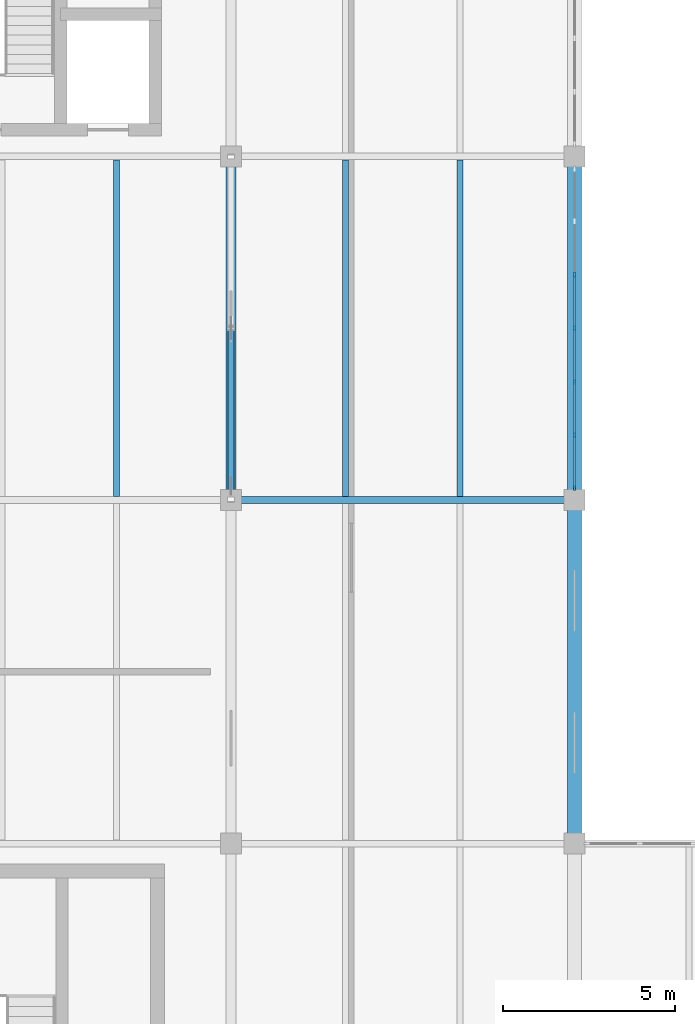
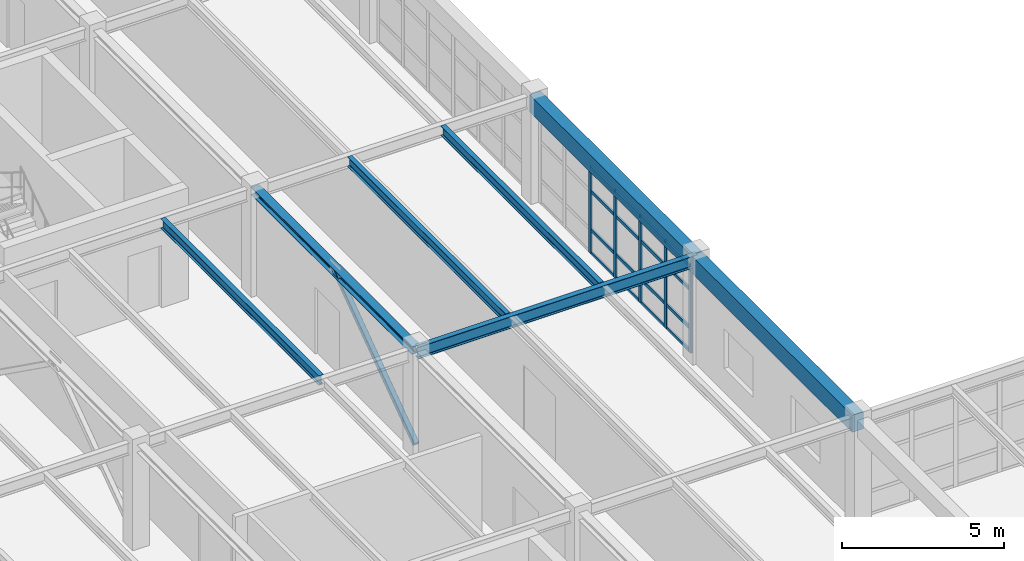
# One storey, part 27 of 122: 22 members, 7 beams, 1 element without a shape of its own.
"""IFC4 building model written with IfcOpenShell, lengths in metres."""

from ifc_helpers import new_model, si_unit, direction, frame, origin, origin_2d, place, context, subcontext, project, spatial, rectangle, hollow_rectangle, i_section, extrude, material, layer, layer_set, material_profile, profile_set, type_object, element, aggregate, save


model = new_model("IFC4")

# Units and contexts
model_context = context("Model", 3, precision=1e-05, world=origin(), true_north=direction((0.0, 1.0)))
body_context = subcontext(model_context, "Body", "Model", "MODEL_VIEW")
ifc_project = project(units=[si_unit("LENGTHUNIT", "METRE"), si_unit("AREAUNIT", "SQUARE_METRE"), si_unit("VOLUMEUNIT", "CUBIC_METRE"), si_unit("PLANEANGLEUNIT", "RADIAN"), si_unit("MASSUNIT", "GRAM", prefix="KILO"), si_unit("THERMODYNAMICTEMPERATUREUNIT", "KELVIN"), si_unit("POWERUNIT", "WATT")], contexts=[model_context])

# Site, building, storey
site_placement = place(None, origin())
site = spatial("IfcSite", under=ifc_project, at=site_placement, CompositionType="ELEMENT")
building_placement = place(site_placement, origin())
building = spatial("IfcBuilding", under=site, at=building_placement, Name="Korenveer Ferry Terminal", CompositionType="ELEMENT")
storey_placement = place(building_placement, frame((0.0, 0.0, 10.199951171875)))
storey = spatial("IfcBuildingStorey", under=building, at=storey_placement, Name="L02", CompositionType="ELEMENT", Elevation=10.199951171875)

# Curtain wall, members
ifc_material_1 = material(Name="Unitised bronze-and-glass curtain wall", Category="glass")
ifc_layer = layer(ifc_material_1, 0.159912109375)
ifc_layer_set = layer_set([ifc_layer], Name="Unitised bronze-and-glass curtain wall")
curtain_wall_type = type_object("IfcCurtainWallType", Name="ENV-CW-108", PredefinedType="USERDEFINED", material=ifc_layer_set)
curtain_wall_placement = place(storey_placement, frame((30.0, 49.669921875, 0.0)))
curtain_wall = element("IfcCurtainWall", 1, at=curtain_wall_placement, inside=storey, type_object=curtain_wall_type, Name="Lancet curtain wall CWX-L02-X30-30-Y40-50", ObjectType="UNITISED CURTAIN WALL", PredefinedType="USERDEFINED")
ifc_material_2 = material(Name="Anodised bronze aluminium", Category="aluminium")
ifc_material_profile_1 = material_profile(ifc_material_2, rectangle(XDim=0.06005859375, YDim=0.159912109375, at=origin_2d()), Name="ALU 60x160")
ifc_profile_set_1 = profile_set([ifc_material_profile_1], Name="Anodised bronze aluminium")
member_type_1 = type_object("IfcMemberType", Name="ENV-CWM-60X160", PredefinedType="MULLION", material=ifc_profile_set_1)
member_1_placement = place(storey_placement, frame((30.0, 46.556640625, 0.0), z_axis=(0.0, 0.0, 1.0), x_axis=(1.0, 0.0, 0.0)))
member_1 = element("IfcMember", 2, at=member_1_placement, type_object=member_type_1, Name="CW-108 mullion 3", PredefinedType="MULLION", context=body_context, shape_type="SweptSolid", body=[
    extrude(rectangle(XDim=0.06005859375, YDim=0.159912109375, at=origin_2d()), origin(), (0.0, 0.0, 1.0), 3.27001953125),
])
member_2_placement = place(storey_placement, frame((30.0, 45.0, 0.0), z_axis=(0.0, 0.0, 1.0), x_axis=(1.0, 0.0, 0.0)))
member_2 = element("IfcMember", 3, at=member_2_placement, type_object=member_type_1, Name="CW-108 mullion 4", PredefinedType="MULLION", context=body_context, shape_type="SweptSolid", body=[
    extrude(rectangle(XDim=0.06005859375, YDim=0.159912109375, at=origin_2d()), origin(), (0.0, 0.0, 1.0), 3.27001953125),
])
member_3_placement = place(storey_placement, frame((30.0, 43.443359375, 0.0), z_axis=(0.0, 0.0, 1.0), x_axis=(1.0, 0.0, 0.0)))
member_3 = element("IfcMember", 4, at=member_3_placement, type_object=member_type_1, Name="CW-108 mullion 5", PredefinedType="MULLION", context=body_context, shape_type="SweptSolid", body=[
    extrude(rectangle(XDim=0.06005859375, YDim=0.159912109375, at=origin_2d()), origin(), (0.0, 0.0, 1.0), 3.27001953125),
])
member_4_placement = place(storey_placement, frame((30.0, 41.88671875, 0.0), z_axis=(0.0, 0.0, 1.0), x_axis=(1.0, 0.0, 0.0)))
member_4 = element("IfcMember", 5, at=member_4_placement, type_object=member_type_1, Name="CW-108 mullion 6", PredefinedType="MULLION", context=body_context, shape_type="SweptSolid", body=[
    extrude(rectangle(XDim=0.06005859375, YDim=0.159912109375, at=origin_2d()), origin(), (0.0, 0.0, 1.0), 3.27001953125),
])
member_5_placement = place(storey_placement, frame((30.0, 40.360107421875, 0.0), z_axis=(0.0, 0.0, 1.0), x_axis=(1.0, 0.0, 0.0)))
member_5 = element("IfcMember", 6, at=member_5_placement, type_object=member_type_1, Name="CW-108 mullion 7", PredefinedType="MULLION", context=body_context, shape_type="SweptSolid", body=[
    extrude(rectangle(XDim=0.06005859375, YDim=0.159912109375, at=origin_2d()), origin(), (0.0, 0.0, 1.0), 3.27001953125),
])
ifc_material_profile_2 = material_profile(ifc_material_2, rectangle(XDim=0.06005859375, YDim=0.1201171875, at=origin_2d()), Name="ALU 60x120")
ifc_profile_set_2 = profile_set([ifc_material_profile_2], Name="Anodised bronze aluminium")
member_type_2 = type_object("IfcMemberType", Name="ENV-CWT-60X120", PredefinedType="USERDEFINED", material=ifc_profile_set_2)
member_6_placement = place(storey_placement, frame((30.0, 46.526611328125, 0.030029296875), z_axis=(0.0, -1.0, 0.0), x_axis=(1.0, 0.0, 0.0)))
member_6 = element("IfcMember", 7, at=member_6_placement, type_object=member_type_2, Name="CW-108 transom 3.1", ObjectType="TRANSOM", PredefinedType="USERDEFINED", context=body_context, shape_type="SweptSolid", body=[
    extrude(rectangle(XDim=0.06005859375, YDim=0.1201171875, at=origin_2d()), origin(), (0.0, 0.0, 1.0), 1.49658203125),
])
member_7_placement = place(storey_placement, frame((30.0, 46.526611328125, 0.900146484375), z_axis=(0.0, -1.0, 0.0), x_axis=(1.0, 0.0, 0.0)))
member_7 = element("IfcMember", 8, at=member_7_placement, type_object=member_type_2, Name="CW-108 transom 3.2", ObjectType="TRANSOM", PredefinedType="USERDEFINED", context=body_context, shape_type="SweptSolid", body=[
    extrude(rectangle(XDim=0.06005859375, YDim=0.1201171875, at=origin_2d()), origin(), (0.0, 0.0, 1.0), 1.49658203125),
])
member_8_placement = place(storey_placement, frame((30.0, 46.526611328125, 2.35009765625), z_axis=(0.0, -1.0, 0.0), x_axis=(1.0, 0.0, 0.0)))
member_8 = element("IfcMember", 9, at=member_8_placement, type_object=member_type_2, Name="CW-108 transom 3.3", ObjectType="TRANSOM", PredefinedType="USERDEFINED", context=body_context, shape_type="SweptSolid", body=[
    extrude(rectangle(XDim=0.06005859375, YDim=0.1201171875, at=origin_2d()), origin(), (0.0, 0.0, 1.0), 1.49658203125),
])
member_9_placement = place(storey_placement, frame((30.0, 46.526611328125, 3.239990234375), z_axis=(0.0, -1.0, 0.0), x_axis=(1.0, 0.0, 0.0)))
member_9 = element("IfcMember", 10, at=member_9_placement, type_object=member_type_2, Name="CW-108 transom 3.4", ObjectType="TRANSOM", PredefinedType="USERDEFINED", context=body_context, shape_type="SweptSolid", body=[
    extrude(rectangle(XDim=0.06005859375, YDim=0.1201171875, at=origin_2d()), origin(), (0.0, 0.0, 1.0), 1.49658203125),
])
member_10_placement = place(storey_placement, frame((30.0, 44.969970703125, 0.030029296875), z_axis=(0.0, -1.0, 0.0), x_axis=(1.0, 0.0, 0.0)))
member_10 = element("IfcMember", 11, at=member_10_placement, type_object=member_type_2, Name="CW-108 transom 4.1", ObjectType="TRANSOM", PredefinedType="USERDEFINED", context=body_context, shape_type="SweptSolid", body=[
    extrude(rectangle(XDim=0.06005859375, YDim=0.1201171875, at=origin_2d()), origin(), (0.0, 0.0, 1.0), 1.49658203125),
])
member_11_placement = place(storey_placement, frame((30.0, 44.969970703125, 0.900146484375), z_axis=(0.0, -1.0, 0.0), x_axis=(1.0, 0.0, 0.0)))
member_11 = element("IfcMember", 12, at=member_11_placement, type_object=member_type_2, Name="CW-108 transom 4.2", ObjectType="TRANSOM", PredefinedType="USERDEFINED", context=body_context, shape_type="SweptSolid", body=[
    extrude(rectangle(XDim=0.06005859375, YDim=0.1201171875, at=origin_2d()), origin(), (0.0, 0.0, 1.0), 1.49658203125),
])
member_12_placement = place(storey_placement, frame((30.0, 44.969970703125, 2.35009765625), z_axis=(0.0, -1.0, 0.0), x_axis=(1.0, 0.0, 0.0)))
member_12 = element("IfcMember", 13, at=member_12_placement, type_object=member_type_2, Name="CW-108 transom 4.3", ObjectType="TRANSOM", PredefinedType="USERDEFINED", context=body_context, shape_type="SweptSolid", body=[
    extrude(rectangle(XDim=0.06005859375, YDim=0.1201171875, at=origin_2d()), origin(), (0.0, 0.0, 1.0), 1.49658203125),
])
member_13_placement = place(storey_placement, frame((30.0, 44.969970703125, 3.239990234375), z_axis=(0.0, -1.0, 0.0), x_axis=(1.0, 0.0, 0.0)))
member_13 = element("IfcMember", 14, at=member_13_placement, type_object=member_type_2, Name="CW-108 transom 4.4", ObjectType="TRANSOM", PredefinedType="USERDEFINED", context=body_context, shape_type="SweptSolid", body=[
    extrude(rectangle(XDim=0.06005859375, YDim=0.1201171875, at=origin_2d()), origin(), (0.0, 0.0, 1.0), 1.49658203125),
])
member_14_placement = place(storey_placement, frame((30.0, 43.413330078125, 0.030029296875), z_axis=(0.0, -1.0, 0.0), x_axis=(1.0, 0.0, 0.0)))
member_14 = element("IfcMember", 15, at=member_14_placement, type_object=member_type_2, Name="CW-108 transom 5.1", ObjectType="TRANSOM", PredefinedType="USERDEFINED", context=body_context, shape_type="SweptSolid", body=[
    extrude(rectangle(XDim=0.06005859375, YDim=0.1201171875, at=origin_2d()), origin(), (0.0, 0.0, 1.0), 1.49658203125),
])
member_15_placement = place(storey_placement, frame((30.0, 43.413330078125, 0.900146484375), z_axis=(0.0, -1.0, 0.0), x_axis=(1.0, 0.0, 0.0)))
member_15 = element("IfcMember", 16, at=member_15_placement, type_object=member_type_2, Name="CW-108 transom 5.2", ObjectType="TRANSOM", PredefinedType="USERDEFINED", context=body_context, shape_type="SweptSolid", body=[
    extrude(rectangle(XDim=0.06005859375, YDim=0.1201171875, at=origin_2d()), origin(), (0.0, 0.0, 1.0), 1.49658203125),
])
member_16_placement = place(storey_placement, frame((30.0, 43.413330078125, 2.35009765625), z_axis=(0.0, -1.0, 0.0), x_axis=(1.0, 0.0, 0.0)))
member_16 = element("IfcMember", 17, at=member_16_placement, type_object=member_type_2, Name="CW-108 transom 5.3", ObjectType="TRANSOM", PredefinedType="USERDEFINED", context=body_context, shape_type="SweptSolid", body=[
    extrude(rectangle(XDim=0.06005859375, YDim=0.1201171875, at=origin_2d()), origin(), (0.0, 0.0, 1.0), 1.49658203125),
])
member_17_placement = place(storey_placement, frame((30.0, 43.413330078125, 3.239990234375), z_axis=(0.0, -1.0, 0.0), x_axis=(1.0, 0.0, 0.0)))
member_17 = element("IfcMember", 18, at=member_17_placement, type_object=member_type_2, Name="CW-108 transom 5.4", ObjectType="TRANSOM", PredefinedType="USERDEFINED", context=body_context, shape_type="SweptSolid", body=[
    extrude(rectangle(XDim=0.06005859375, YDim=0.1201171875, at=origin_2d()), origin(), (0.0, 0.0, 1.0), 1.49658203125),
])
member_18_placement = place(storey_placement, frame((30.0, 41.856689453125, 0.030029296875), z_axis=(0.0, -1.0, 0.0), x_axis=(1.0, 0.0, 0.0)))
member_18 = element("IfcMember", 19, at=member_18_placement, type_object=member_type_2, Name="CW-108 transom 6.1", ObjectType="TRANSOM", PredefinedType="USERDEFINED", context=body_context, shape_type="SweptSolid", body=[
    extrude(rectangle(XDim=0.06005859375, YDim=0.1201171875, at=origin_2d()), origin(), (0.0, 0.0, 1.0), 1.466796875),
])
member_19_placement = place(storey_placement, frame((30.0, 41.856689453125, 0.900146484375), z_axis=(0.0, -1.0, 0.0), x_axis=(1.0, 0.0, 0.0)))
member_19 = element("IfcMember", 20, at=member_19_placement, type_object=member_type_2, Name="CW-108 transom 6.2", ObjectType="TRANSOM", PredefinedType="USERDEFINED", context=body_context, shape_type="SweptSolid", body=[
    extrude(rectangle(XDim=0.06005859375, YDim=0.1201171875, at=origin_2d()), origin(), (0.0, 0.0, 1.0), 1.466796875),
])
member_20_placement = place(storey_placement, frame((30.0, 41.856689453125, 2.35009765625), z_axis=(0.0, -1.0, 0.0), x_axis=(1.0, 0.0, 0.0)))
member_20 = element("IfcMember", 21, at=member_20_placement, type_object=member_type_2, Name="CW-108 transom 6.3", ObjectType="TRANSOM", PredefinedType="USERDEFINED", context=body_context, shape_type="SweptSolid", body=[
    extrude(rectangle(XDim=0.06005859375, YDim=0.1201171875, at=origin_2d()), origin(), (0.0, 0.0, 1.0), 1.466796875),
])
member_21_placement = place(storey_placement, frame((30.0, 41.856689453125, 3.239990234375), z_axis=(0.0, -1.0, 0.0), x_axis=(1.0, 0.0, 0.0)))
member_21 = element("IfcMember", 22, at=member_21_placement, type_object=member_type_2, Name="CW-108 transom 6.4", ObjectType="TRANSOM", PredefinedType="USERDEFINED", context=body_context, shape_type="SweptSolid", body=[
    extrude(rectangle(XDim=0.06005859375, YDim=0.1201171875, at=origin_2d()), origin(), (0.0, 0.0, 1.0), 1.466796875),
])
aggregate(curtain_wall, [member_1, member_2, member_3, member_4, member_5, member_6, member_7, member_8, member_9, member_10, member_11, member_12, member_13, member_14, member_15, member_16, member_17, member_18, member_19, member_20, member_21])

# Beams
ifc_material_3 = material(Name="Steel S355", Category="steel")
ifc_material_profile_3 = material_profile(ifc_material_3, i_section(OverallWidth=0.300048828125, OverallDepth=0.2900390625, WebThickness=0.008544921875, FlangeThickness=0.013916015625, FilletRadius=0.027099609375, at=origin_2d()), Name="HEA 300")
ifc_profile_set_3 = profile_set([ifc_material_profile_3], Name="Steel S355")
beam_type_1 = type_object("IfcBeamType", Name="STR-BM-HEA300", PredefinedType="BEAM", material=ifc_profile_set_3)
beam_1_placement = place(storey_placement, frame((20.0, 40.02001953125, 3.804931640625), z_axis=(0.0, 1.0, 0.0), x_axis=(-1.0, 0.0, 0.0)))
element("IfcBeam", 23, at=beam_1_placement, inside=storey, type_object=beam_type_1, Name="Primary Y girder BMY-L03-X20-Y40-50", PredefinedType="BEAM", context=body_context, shape_type="SweptSolid", body=[
    extrude(i_section(OverallWidth=0.300048828125, OverallDepth=0.2900390625, WebThickness=0.008544921875, FlangeThickness=0.013916015625, FilletRadius=0.027099609375, at=origin_2d()), origin(), (0.0, 0.0, 1.0), 9.9599609375),
])
ifc_material_profile_4 = material_profile(ifc_material_3, i_section(OverallWidth=0.18994140625, OverallDepth=0.449951171875, WebThickness=0.009521484375, FlangeThickness=0.0146484375, FilletRadius=0.02099609375, at=origin_2d()), Name="IPE 450")
ifc_profile_set_4 = profile_set([ifc_material_profile_4], Name="Steel S355")
beam_type_2 = type_object("IfcBeamType", Name="STR-BM-IPE450", PredefinedType="BEAM", material=ifc_profile_set_4)
beam_2_placement = place(storey_placement, frame((20.02001953125, 40.0, 3.72509765625), z_axis=(1.0, 0.0, 0.0), x_axis=(0.0, 1.0, 0.0)))
element("IfcBeam", 24, at=beam_2_placement, inside=storey, type_object=beam_type_2, Name="Primary X girder BMX-L03-X20-30-Y40", PredefinedType="BEAM", context=body_context, shape_type="SweptSolid", body=[
    extrude(i_section(OverallWidth=0.18994140625, OverallDepth=0.449951171875, WebThickness=0.009521484375, FlangeThickness=0.0146484375, FilletRadius=0.02099609375, at=origin_2d()), origin(), (0.0, 0.0, 1.0), 9.9599609375),
])
ifc_material_4 = material(Name="Concrete C40/50", Category="concrete")
ifc_material_profile_5 = material_profile(ifc_material_4, rectangle(XDim=0.39990234375, YDim=0.64990234375, at=origin_2d()), Name="RC 400x650")
ifc_profile_set_5 = profile_set([ifc_material_profile_5], Name="Concrete C40/50")
beam_type_3 = type_object("IfcBeamType", Name="STR-BM-RC400X650", PredefinedType="BEAM", material=ifc_profile_set_5)
for number, where, z_axis, x_axis, name in (
    (25, (30.0, 30.02001953125, 3.625), (0.0, 1.0, 0.0), (-1.0, 0.0, 0.0), "Primary Y girder BMY-L03-X30-Y30-40"),
    (26, (30.0, 40.02001953125, 3.625), (0.0, 1.0, 0.0), (-1.0, 0.0, 0.0), "Primary Y girder BMY-L03-X30-Y40-50"),
):
    element("IfcBeam", number, at=place(storey_placement, frame(where, z_axis=z_axis, x_axis=x_axis)), inside=storey, type_object=beam_type_3, Name=name, PredefinedType="BEAM", context=body_context, shape_type="SweptSolid", body=[
        extrude(rectangle(XDim=0.39990234375, YDim=0.64990234375, at=origin_2d()), origin(), (0.0, 0.0, 1.0), 9.9599609375),
    ])

# Member
ifc_material_profile_6 = material_profile(ifc_material_3, hollow_rectangle(XDim=0.179931640625, YDim=0.179931640625, WallThickness=0.010009765625, InnerFilletRadius=0.010009765625, OuterFilletRadius=0.014892578125, at=origin_2d()), Name="SHS 180x180x10")
ifc_profile_set_6 = profile_set([ifc_material_profile_6], Name="Steel S355")
member_type_3 = type_object("IfcMemberType", Name="STR-BRC-SHS180", PredefinedType="BRACE", material=ifc_profile_set_6)
member_22_placement = place(storey_placement, frame((20.0, 40.02001953125, 0.239990234375), z_axis=(0.0, 0.813507053868, 0.581555047529), x_axis=(-1.0, 0.0, 0.0)))
element("IfcMember", 27, at=member_22_placement, inside=storey, type_object=member_type_3, Name="Lateral stability chevron brace BRCVF-L02-X20-400", PredefinedType="BRACE", context=body_context, shape_type="SweptSolid", body=[
    extrude(hollow_rectangle(XDim=0.179931640625, YDim=0.179931640625, WallThickness=0.010009765625, InnerFilletRadius=0.010009765625, OuterFilletRadius=0.014892578125, at=origin_2d()), origin(), (0.0, 0.0, 1.0), 6.12158203125),
])

# Beams
ifc_material_profile_7 = material_profile(ifc_material_3, i_section(OverallWidth=0.169921875, OverallDepth=0.360107421875, WebThickness=0.008056640625, FlangeThickness=0.0126953125, FilletRadius=0.01806640625, at=origin_2d()), Name="IPE 360")
ifc_profile_set_7 = profile_set([ifc_material_profile_7], Name="Steel S355")
beam_type_4 = type_object("IfcBeamType", Name="STR-JST-IPE360", PredefinedType="JOIST", material=ifc_profile_set_7)
for number, where, z_axis, x_axis, name in (
    (28, (16.666748046875, 40.10498046875, 3.77001953125), (0.0, 1.0, 0.0), (-1.0, 0.0, 0.0), "Secondary composite joist JST-L03-X167-Y40-50"),
    (29, (23.333251953125, 40.10498046875, 3.77001953125), (0.0, 1.0, 0.0), (-1.0, 0.0, 0.0), "Secondary composite joist JST-L03-X233-Y40-50"),
    (30, (26.666748046875, 40.10498046875, 3.77001953125), (0.0, 1.0, 0.0), (-1.0, 0.0, 0.0), "Secondary composite joist JST-L03-X267-Y40-50"),
):
    element("IfcBeam", number, at=place(storey_placement, frame(where, z_axis=z_axis, x_axis=x_axis)), inside=storey, type_object=beam_type_4, Name=name, PredefinedType="JOIST", context=body_context, shape_type="SweptSolid", body=[
        extrude(i_section(OverallWidth=0.169921875, OverallDepth=0.360107421875, WebThickness=0.008056640625, FlangeThickness=0.0126953125, FilletRadius=0.01806640625, at=origin_2d()), origin(), (0.0, 0.0, 1.0), 9.7900390625),
    ])

save(model, "model.ifc")
